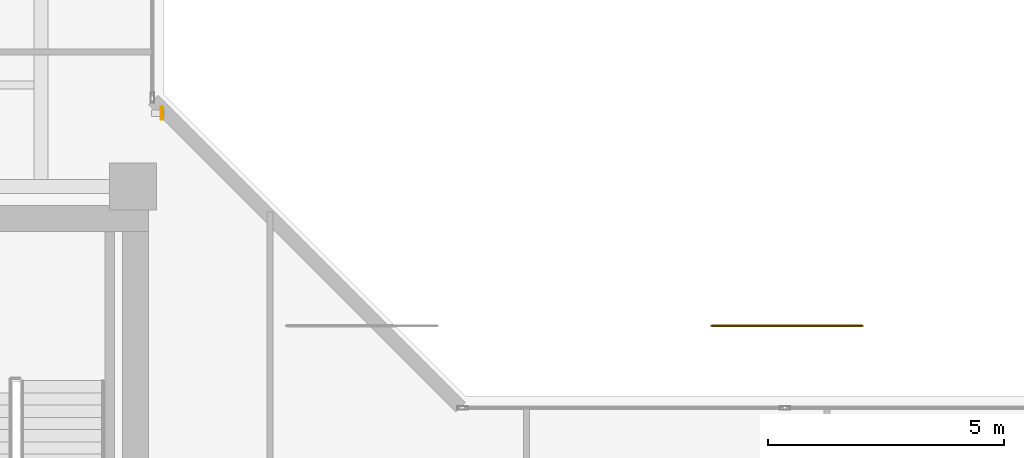
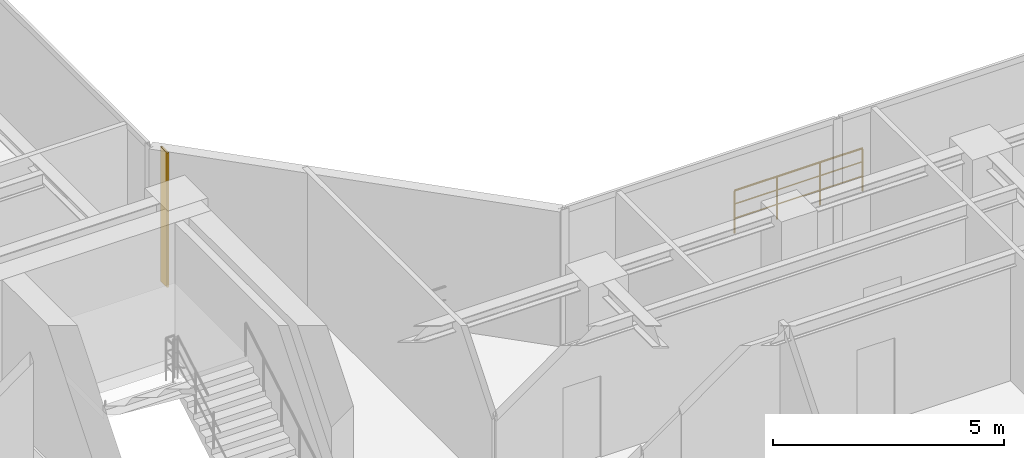
# One storey, part 23 of 25: 1 railing, 1 shading device.
"""IFC4 building model written with IfcOpenShell, lengths in metres."""

import ifcopenshell
import ifcopenshell.guid

model = None  # the IFC model being written
_history = None  # IfcOwnerHistory: only IFC2X3 demands one
_inside = {}  # id of a spatial element -> (the spatial element, [elements in it])
_under = {}  # id of a project, library or spatial element -> (it, [spatial elements below it])
_declared = {}  # id of a project -> (the project, [libraries it declares])
_typed = {}  # id of a type object -> (the type object, [elements of that type])
_made_of = {}  # id of a material, layer set ... -> (it, [elements and type objects made of it])


def new_model(schema):
    """Start an empty IFC model of exactly this schema.

    Asked for "IFC4X3", IfcOpenShell would pick the latest addendum, in which some entities
    have other attributes; the version numbers below select the first issue.
    IFC2X3 requires an IfcOwnerHistory on every rooted entity: one is made here for all.
    """
    global model, _history
    if schema == "IFC4X3":
        model = ifcopenshell.file(schema_version=(4, 3, 0, 0))
    else:
        model = ifcopenshell.file(schema=schema)
    _inside.clear()
    _under.clear()
    _declared.clear()
    _typed.clear()
    _made_of.clear()
    _history = None
    if model.schema == "IFC2X3":
        org = make("IfcOrganization", Name="unknown")
        user = make(
            "IfcPersonAndOrganization",
            ThePerson=make("IfcPerson", FamilyName="unknown"),
            TheOrganization=org,
        )
        app = make(
            "IfcApplication",
            ApplicationDeveloper=org,
            Version="unknown",
            ApplicationFullName="unknown",
            ApplicationIdentifier="unknown",
        )
        _history = make(
            "IfcOwnerHistory",
            OwningUser=user,
            OwningApplication=app,
            ChangeAction="ADDED",
            CreationDate=0,
        )
    return model


def make(cls, **values):
    """One entity of the class cls with the attributes given. An attribute that is None is left unset."""
    return model.create_entity(
        cls, **{name: value for name, value in values.items() if value is not None}
    )


def rooted(cls, **values):
    """An entity with a GlobalId (a new one), such as an element, a storey or a relation."""
    return make(cls, GlobalId=ifcopenshell.guid.new(), OwnerHistory=_history, **values)


def si_unit(unit_type, name, prefix=None):
    """IfcSIUnit, for example si_unit("LENGTHUNIT", "METRE", prefix="MILLI")."""
    return make("IfcSIUnit", UnitType=unit_type, Prefix=prefix, Name=name)


def assignment(units):
    """IfcUnitAssignment: the units of a project."""
    return None if units is None else make("IfcUnitAssignment", Units=units)


def point(xyz):
    """IfcCartesianPoint."""
    return None if xyz is None else make("IfcCartesianPoint", Coordinates=xyz)


def direction(xyz):
    """IfcDirection."""
    return None if xyz is None else make("IfcDirection", DirectionRatios=xyz)


def frame(location, z_axis=None, x_axis=None):
    """IfcAxis2Placement3D, a coordinate frame: its origin and axes. An axis left out is left unset."""
    return make(
        "IfcAxis2Placement3D",
        Location=point(location),
        Axis=direction(z_axis),
        RefDirection=direction(x_axis),
    )


def frame_2d(location, x_axis=None):
    """IfcAxis2Placement2D, a coordinate frame in the plane: its origin and x axis."""
    return make(
        "IfcAxis2Placement2D", Location=point(location), RefDirection=direction(x_axis)
    )


def origin():
    """The frame at (0, 0, 0) with its axes left unset."""
    return frame((0.0, 0.0, 0.0))


def origin_2d():
    """The frame at (0, 0) in the plane with its x axis left unset."""
    return frame_2d((0.0, 0.0))


def place(relative_to, where):
    """IfcLocalPlacement: puts the frame where relative to a parent placement (None: the world)."""
    return make(
        "IfcLocalPlacement", PlacementRelTo=relative_to, RelativePlacement=where
    )


def context(
    kind, dimensions, precision=None, world=None, true_north=None, identifier=None
):
    """IfcGeometricRepresentationContext, for example the 3D "Model" context."""
    return make(
        "IfcGeometricRepresentationContext",
        ContextIdentifier=identifier,
        ContextType=kind,
        CoordinateSpaceDimension=dimensions,
        Precision=precision,
        WorldCoordinateSystem=world,
        TrueNorth=true_north,
    )


def subcontext(parent, identifier, kind, view, scale=None):
    """IfcGeometricRepresentationSubContext, for example "Body" below "Model"."""
    return make(
        "IfcGeometricRepresentationSubContext",
        ContextIdentifier=identifier,
        ContextType=kind,
        ParentContext=parent,
        TargetScale=scale,
        TargetView=view,
    )


def project(units=None, contexts=None):
    """IfcProject with its units and contexts."""
    return rooted(
        "IfcProject",
        Name="project",
        RepresentationContexts=contexts,
        UnitsInContext=assignment(units),
    )


def spatial(cls, under=None, at=None, **own):
    """A site, building, storey or space (cls), placed at a placement, below another one or the project."""
    s = rooted(cls, ObjectPlacement=at, **own)
    if under is not None:
        _under.setdefault(under.id(), (under, []))[1].append(s)
    return s


def profile(cls, at=None, kind="AREA", **sizes):
    """A parametric profile (cls). Its sizes go by their IFC names, for example OverallWidth=200.0."""
    return make(cls, ProfileType=kind, Position=at, **sizes)


def hollow_rectangle(**sizes):
    """IfcRectangleHollowProfileDef."""
    return profile("IfcRectangleHollowProfileDef", **sizes)


def circle(**sizes):
    """IfcCircleProfileDef."""
    return profile("IfcCircleProfileDef", **sizes)


def extrude(swept, where, along, depth):
    """IfcExtrudedAreaSolid: the profile swept, set in the frame where, extruded along a direction by depth."""
    return make(
        "IfcExtrudedAreaSolid",
        SweptArea=swept,
        Position=where,
        ExtrudedDirection=direction(along),
        Depth=depth,
    )


def shape(context_of_items, identifier, shape_type, items):
    """IfcShapeRepresentation: the items that make up one representation, for example the "Body"."""
    return make(
        "IfcShapeRepresentation",
        ContextOfItems=context_of_items,
        RepresentationIdentifier=identifier,
        RepresentationType=shape_type,
        Items=items,
    )


def material(Name=None, Category=None):
    """IfcMaterial."""
    return make("IfcMaterial", Name=Name, Category=Category)


def material_profile(
    of_material, cross_section, Name=None, Category=None, Priority=None
):
    """IfcMaterialProfile: a cross section and its material."""
    return make(
        "IfcMaterialProfile",
        Name=Name,
        Material=of_material,
        Profile=cross_section,
        Priority=Priority,
        Category=Category,
    )


def profile_set(profiles, Name=None, composite=None):
    """IfcMaterialProfileSet."""
    return make(
        "IfcMaterialProfileSet",
        Name=Name,
        MaterialProfiles=profiles,
        CompositeProfile=composite,
    )


def made_of(thing, what):
    """Note that an element or type object is made of a material, layer set ...; save() writes the relation."""
    if what is not None:
        _made_of.setdefault(what.id(), (what, []))[1].append(thing)
    return thing


def type_object(cls, material=None, **own):
    """A type object (cls), such as IfcWallType, which elements share."""
    return made_of(rooted(cls, **own), material)


def element(
    cls,
    number,
    at=None,
    inside=None,
    cuts=None,
    type_object=None,
    material=None,
    context=None,
    identifier="Body",
    shape_type=None,
    held_by="IfcProductDefinitionShape",
    body=None,
    shapes=None,
    **own,
):
    """One element of the class cls, such as IfcWall. Its Tag is "e" and its number.

    at: its placement. inside: the storey or other place that contains it. cuts: it is an
    opening in that element (IfcRelVoidsElement). A single representation is given by context,
    identifier, shape_type and body (its items); several are given by shapes. held_by: the class
    of the entity that holds the representations. save() writes the other relations.
    """
    e = rooted(cls, Tag="e%d" % number, ObjectPlacement=at, **own)
    if body is not None:
        shapes = [shape(context, identifier, shape_type, body)]
    if shapes is not None:
        e.Representation = make(held_by, Representations=shapes)
    if inside is not None:
        _inside.setdefault(inside.id(), (inside, []))[1].append(e)
    if cuts is not None:
        rooted(
            "IfcRelVoidsElement", RelatingBuildingElement=cuts, RelatedOpeningElement=e
        )
    if type_object is not None:
        _typed.setdefault(type_object.id(), (type_object, []))[1].append(e)
    return made_of(e, material)


def aggregate(whole, parts):
    """IfcRelAggregates: a whole, such as a stair, and the parts it consists of."""
    return rooted("IfcRelAggregates", RelatingObject=whole, RelatedObjects=parts)


def save(model, path):
    """Write the relations noted so far, then the file.

    IfcRelAggregates (storeys below a building ...), IfcRelContainedInSpatialStructure (elements
    in a storey), IfcRelDefinesByType, IfcRelAssociatesMaterial and IfcRelDeclares: one each for
    every whole, place, type object, material and project.
    """
    for whole, parts in _under.values():
        aggregate(whole, parts)
    for where, things in _inside.values():
        rooted(
            "IfcRelContainedInSpatialStructure",
            RelatedElements=things,
            RelatingStructure=where,
        )
    for kind, things in _typed.values():
        rooted("IfcRelDefinesByType", RelatedObjects=things, RelatingType=kind)
    for what, things in _made_of.values():
        rooted("IfcRelAssociatesMaterial", RelatedObjects=things, RelatingMaterial=what)
    for by, libraries in _declared.values():
        rooted("IfcRelDeclares", RelatingContext=by, RelatedDefinitions=libraries)
    model.write(path)


model = new_model("IFC4")

# Units and contexts
model_context = context("Model", 3, precision=1e-05, world=origin(), true_north=direction((0.0, 1.0)))
body_context = subcontext(model_context, "Body", "Model", "MODEL_VIEW")
ifc_project = project(units=[si_unit("LENGTHUNIT", "METRE"), si_unit("AREAUNIT", "SQUARE_METRE"), si_unit("VOLUMEUNIT", "CUBIC_METRE"), si_unit("PLANEANGLEUNIT", "RADIAN"), si_unit("MASSUNIT", "GRAM", prefix="KILO")], contexts=[model_context])

# Site, building, storey
site_placement = place(None, origin())
site = spatial("IfcSite", under=ifc_project, at=site_placement, CompositionType="ELEMENT")
building_placement = place(site_placement, origin())
building = spatial("IfcBuilding", under=site, at=building_placement, Name="Kolvaren Waterfront Exchange", CompositionType="ELEMENT")
storey_placement = place(building_placement, frame((0.0, 0.0, 223.5)))
storey = spatial("IfcBuildingStorey", under=building, at=storey_placement, Name="L57", CompositionType="ELEMENT", Elevation=223.5)

# Railing
ifc_material_1 = material(Name="Anodised bronze aluminium and laminated glass", Category="aluminium")
railing_type = type_object("IfcRailingType", Name="ARC-BALUSTRADE-1150", PredefinedType="BALUSTRADE", material=ifc_material_1)
railing_placement = place(storey_placement, frame((33.0, 21.5, 0.0)))
element("IfcRailing", 1, at=railing_placement, inside=storey, type_object=railing_type, Name="L57 gallery balustrade 2", PredefinedType="BALUSTRADE", context=body_context, shape_type="SweptSolid", body=[
    extrude(circle(Radius=0.02392578125, at=origin_2d()), frame((0.0, 0.0, 1.1259765625), z_axis=(1.0, 0.0, 0.0), x_axis=(0.0, 1.0, 0.0)), (0.0, 0.0, 1.0), 3.199951171875),
    extrude(circle(Radius=0.01611328125, at=origin_2d()), frame((0.0, 0.0, 0.390869140625), z_axis=(1.0, 0.0, 0.0), x_axis=(0.0, 1.0, 0.0)), (0.0, 0.0, 1.0), 3.199951171875),
    extrude(circle(Radius=0.01611328125, at=origin_2d()), frame((0.0, 0.0, 0.7705078125), z_axis=(1.0, 0.0, 0.0), x_axis=(0.0, 1.0, 0.0)), (0.0, 0.0, 1.0), 3.199951171875),
    extrude(circle(Radius=0.02099609375, at=origin_2d()), origin(), (0.0, 0.0, 1.0), 1.101806640625),
    extrude(circle(Radius=0.02099609375, at=origin_2d()), frame((1.066650390625, 0.0, 0.0)), (0.0, 0.0, 1.0), 1.101806640625),
    extrude(circle(Radius=0.02099609375, at=origin_2d()), frame((2.13330078125, 0.0, 0.0)), (0.0, 0.0, 1.0), 1.101806640625),
    extrude(circle(Radius=0.02099609375, at=origin_2d()), frame((3.199951171875, 0.0, 0.0)), (0.0, 0.0, 1.0), 1.101806640625),
])

# Shading device
ifc_material_2 = material(Name="Anodised bronze aluminium 6063-T6", Category="aluminium")
ifc_material_profile = material_profile(ifc_material_2, hollow_rectangle(XDim=0.054931640625, YDim=0.280029296875, WallThickness=0.00439453125, at=origin_2d()), Name="BRZ-FIN-280x55x4.5")
ifc_profile_set = profile_set([ifc_material_profile], Name="Anodised bronze aluminium 6063-T6")
shading_device_type = type_object("IfcShadingDeviceType", Name="ARC-FIN-280", PredefinedType="USERDEFINED", material=ifc_profile_set)
shading_device_placement = place(storey_placement, frame((21.360107421875, 26.0, 0.0), z_axis=(0.0, 0.0, 1.0), x_axis=(1.0, 0.0, 0.0)))
element("IfcShadingDevice", 2, at=shading_device_placement, inside=storey, type_object=shading_device_type, Name="L57 anodised bronze solar shading fin FIN-L57-E2", ObjectType="SOLAR FIN", PredefinedType="USERDEFINED", context=body_context, shape_type="SweptSolid", body=[
    extrude(hollow_rectangle(XDim=0.054931640625, YDim=0.280029296875, WallThickness=0.00439453125, at=origin_2d()), origin(), (0.0, 0.0, 1.0), 3.56005859375),
])

save(model, "model.ifc")
